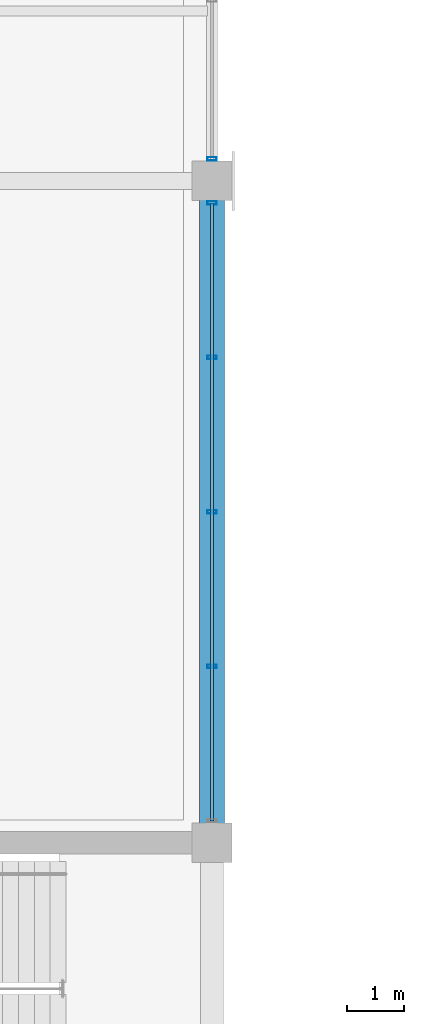
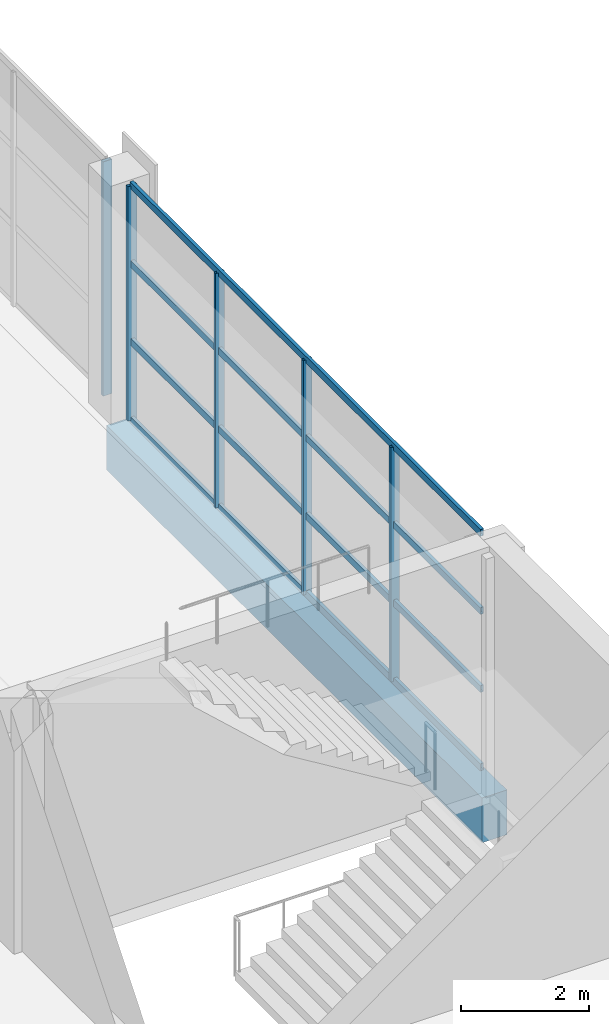
# One storey, part 20 of 101: 9 members, 1 beam, 2 elements without a shape of their own.
"""IFC4 building model written with IfcOpenShell, lengths in metres."""

from ifc_helpers import new_model, si_unit, direction, frame, origin, origin_2d, place, context, subcontext, project, spatial, rectangle, hollow_rectangle, extrude, material, material_profile, profile_set, type_object, element, aggregate, save


model = new_model("IFC4")

# Units and contexts
model_context = context("Model", 3, precision=1e-05, world=origin(), true_north=direction((0.0, 1.0)))
body_context = subcontext(model_context, "Body", "Model", "MODEL_VIEW")
ifc_project = project(units=[si_unit("LENGTHUNIT", "METRE"), si_unit("AREAUNIT", "SQUARE_METRE"), si_unit("VOLUMEUNIT", "CUBIC_METRE"), si_unit("PLANEANGLEUNIT", "RADIAN"), si_unit("MASSUNIT", "GRAM", prefix="KILO")], contexts=[model_context])

# Site, building, storey
site_placement = place(None, origin())
site = spatial("IfcSite", under=ifc_project, at=site_placement, CompositionType="ELEMENT")
building_placement = place(site_placement, origin())
building = spatial("IfcBuilding", under=site, at=building_placement, Name="Solvikara Media Centre", CompositionType="ELEMENT")
storey_placement = place(building_placement, frame((0.0, 0.0, 10.199951171875)))
storey = spatial("IfcBuildingStorey", under=building, at=storey_placement, Name="L02", CompositionType="ELEMENT", Elevation=10.199951171875)

# Beam
ifc_material_1 = material(Name="Concrete fc' 35 MPa (C35/45)", Category="concrete")
ifc_material_profile_1 = material_profile(ifc_material_1, rectangle(XDim=0.449951171875, YDim=0.85009765625, at=origin_2d()), Name="RC 450x850")
ifc_profile_set_1 = profile_set([ifc_material_profile_1], Name="Concrete fc' 35 MPa (C35/45)")
beam_type = type_object("IfcBeamType", Name="BM-14", PredefinedType="SPANDREL", material=ifc_profile_set_1)
beam_placement = place(storey_placement, frame((34.0, 44.800048828125, -0.68505859375), z_axis=(0.0, 1.0, 0.0), x_axis=(-1.0, 0.0, 0.0)))
element("IfcBeam", 1, at=beam_placement, inside=storey, type_object=beam_type, Name="B-L02-Y0950", PredefinedType="SPANDREL", context=body_context, shape_type="SweptSolid", body=[
    extrude(rectangle(XDim=0.449951171875, YDim=0.85009765625, at=origin_2d()), origin(), (0.0, 0.0, 1.0), 11.699951171875),
])

# Curtain wall, members
ifc_material_2 = material(Name="Anodised aluminium EN AW-6063", Category="aluminium")
curtain_wall_type = type_object("IfcCurtainWallType", Name="CW-07", PredefinedType="NOTDEFINED", material=ifc_material_2)
curtain_wall_1_placement = place(storey_placement, origin())
curtain_wall_1 = element("IfcCurtainWall", 2, at=curtain_wall_1_placement, inside=storey, type_object=curtain_wall_type, Name="CW-L02-V4E-S1", PredefinedType="NOTDEFINED")
ifc_material_profile_2 = material_profile(ifc_material_2, hollow_rectangle(XDim=0.06005859375, YDim=0.159912109375, WallThickness=0.00341796875, at=origin_2d()), Name="ALU-M 60x160x3.5")
ifc_profile_set_2 = profile_set([ifc_material_profile_2], Name="Anodised aluminium EN AW-6063")
member_type_1 = type_object("IfcMemberType", Name="MF-04", PredefinedType="MULLION", material=ifc_profile_set_2)
member_1_placement = place(storey_placement, frame((34.0, 47.919921875, 0.02001953125), z_axis=(0.0, 0.0, 1.0), x_axis=(0.0, 1.0, 0.0)))
member_1 = element("IfcMember", 3, at=member_1_placement, type_object=member_type_1, Name="CW-L02-V4E-S1-M01", PredefinedType="MULLION", context=body_context, shape_type="SweptSolid", body=[
    extrude(hollow_rectangle(XDim=0.06005859375, YDim=0.159912109375, WallThickness=0.00341796875, at=origin_2d()), origin(), (0.0, 0.0, 1.0), 4.4599609375),
])
member_2_placement = place(storey_placement, frame((34.0, 50.64990234375, 0.02001953125), z_axis=(0.0, 0.0, 1.0), x_axis=(0.0, 1.0, 0.0)))
member_2 = element("IfcMember", 4, at=member_2_placement, type_object=member_type_1, Name="CW-L02-V4E-S1-M02", PredefinedType="MULLION", context=body_context, shape_type="SweptSolid", body=[
    extrude(hollow_rectangle(XDim=0.06005859375, YDim=0.159912109375, WallThickness=0.00341796875, at=origin_2d()), origin(), (0.0, 0.0, 1.0), 4.4599609375),
])
member_3_placement = place(storey_placement, frame((34.0, 53.3798828125, 0.02001953125), z_axis=(0.0, 0.0, 1.0), x_axis=(0.0, 1.0, 0.0)))
member_3 = element("IfcMember", 5, at=member_3_placement, type_object=member_type_1, Name="CW-L02-V4E-S1-M03", PredefinedType="MULLION", context=body_context, shape_type="SweptSolid", body=[
    extrude(hollow_rectangle(XDim=0.06005859375, YDim=0.159912109375, WallThickness=0.00341796875, at=origin_2d()), origin(), (0.0, 0.0, 1.0), 4.4599609375),
])
member_4_placement = place(storey_placement, frame((34.0, 56.110107421875, 0.02001953125), z_axis=(0.0, 0.0, 1.0), x_axis=(0.0, 1.0, 0.0)))
member_4 = element("IfcMember", 6, at=member_4_placement, type_object=member_type_1, Name="CW-L02-V4E-S1-M04", PredefinedType="MULLION", context=body_context, shape_type="SweptSolid", body=[
    extrude(hollow_rectangle(XDim=0.06005859375, YDim=0.159912109375, WallThickness=0.00341796875, at=origin_2d()), origin(), (0.0, 0.0, 1.0), 4.4599609375),
])

# Curtain wall, member
curtain_wall_2_placement = place(storey_placement, origin())
curtain_wall_2 = element("IfcCurtainWall", 7, at=curtain_wall_2_placement, inside=storey, type_object=curtain_wall_type, Name="CW-L02-V4E-S2", PredefinedType="NOTDEFINED")
member_5_placement = place(storey_placement, frame((34.0, 56.889892578125, 0.02001953125), z_axis=(0.0, 0.0, 1.0), x_axis=(0.0, 1.0, 0.0)))
member_5 = element("IfcMember", 8, at=member_5_placement, type_object=member_type_1, Name="CW-L02-V4E-S2-M00", PredefinedType="MULLION", context=body_context, shape_type="SweptSolid", body=[
    extrude(hollow_rectangle(XDim=0.06005859375, YDim=0.159912109375, WallThickness=0.00341796875, at=origin_2d()), origin(), (0.0, 0.0, 1.0), 4.4599609375),
])
aggregate(curtain_wall_2, [member_5])

# Member
ifc_material_profile_3 = material_profile(ifc_material_2, hollow_rectangle(XDim=0.06005859375, YDim=0.1298828125, WallThickness=0.0029296875, at=origin_2d()), Name="ALU-T 60x130x3")
ifc_profile_set_3 = profile_set([ifc_material_profile_3], Name="Anodised aluminium EN AW-6063")
member_type_2 = type_object("IfcMemberType", Name="MF-10", PredefinedType="USERDEFINED", material=ifc_profile_set_3)
member_6_placement = place(storey_placement, frame((34.0, 45.18994140625, 0.02001953125), z_axis=(0.0, 1.0, 0.0), x_axis=(-1.0, 0.0, 0.0)))
member_6 = element("IfcMember", 9, at=member_6_placement, type_object=member_type_2, Name="CW-L02-V4E-S1-T00", ObjectType="TRANSOM", PredefinedType="USERDEFINED", context=body_context, shape_type="SweptSolid", body=[
    extrude(hollow_rectangle(XDim=0.06005859375, YDim=0.1298828125, WallThickness=0.0029296875, at=origin_2d()), origin(), (0.0, 0.0, 1.0), 10.920166015625),
])

member_7_placement = place(storey_placement, frame((34.0, 45.18994140625, 1.507080078125), z_axis=(0.0, 1.0, 0.0), x_axis=(-1.0, 0.0, 0.0)))
member_7 = element("IfcMember", 10, at=member_7_placement, type_object=member_type_2, Name="CW-L02-V4E-S1-T01", ObjectType="TRANSOM", PredefinedType="USERDEFINED", context=body_context, shape_type="SweptSolid", body=[
    extrude(hollow_rectangle(XDim=0.06005859375, YDim=0.1298828125, WallThickness=0.0029296875, at=origin_2d()), origin(), (0.0, 0.0, 1.0), 10.920166015625),
])

member_8_placement = place(storey_placement, frame((34.0, 45.18994140625, 2.9931640625), z_axis=(0.0, 1.0, 0.0), x_axis=(-1.0, 0.0, 0.0)))
member_8 = element("IfcMember", 11, at=member_8_placement, type_object=member_type_2, Name="CW-L02-V4E-S1-T02", ObjectType="TRANSOM", PredefinedType="USERDEFINED", context=body_context, shape_type="SweptSolid", body=[
    extrude(hollow_rectangle(XDim=0.06005859375, YDim=0.1298828125, WallThickness=0.0029296875, at=origin_2d()), origin(), (0.0, 0.0, 1.0), 10.920166015625),
])

member_9_placement = place(storey_placement, frame((34.0, 45.18994140625, 4.47998046875), z_axis=(0.0, 1.0, 0.0), x_axis=(-1.0, 0.0, 0.0)))
member_9 = element("IfcMember", 12, at=member_9_placement, type_object=member_type_2, Name="CW-L02-V4E-S1-T03", ObjectType="TRANSOM", PredefinedType="USERDEFINED", context=body_context, shape_type="SweptSolid", body=[
    extrude(hollow_rectangle(XDim=0.06005859375, YDim=0.1298828125, WallThickness=0.0029296875, at=origin_2d()), origin(), (0.0, 0.0, 1.0), 10.920166015625),
])

aggregate(curtain_wall_1, [member_1, member_2, member_3, member_4, member_6, member_7, member_8, member_9])

save(model, "model.ifc")
